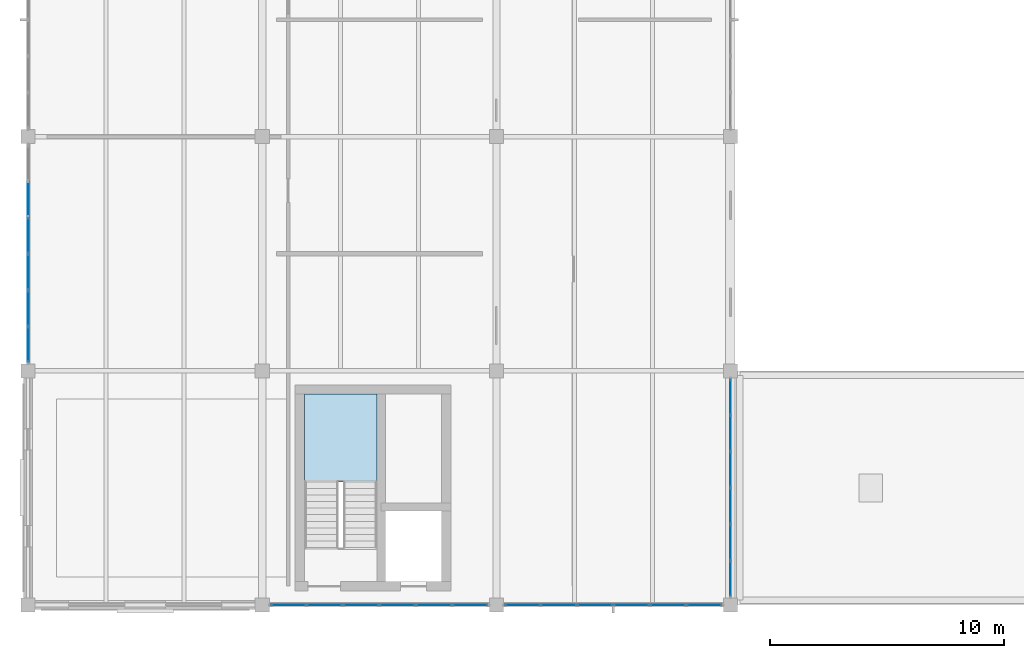
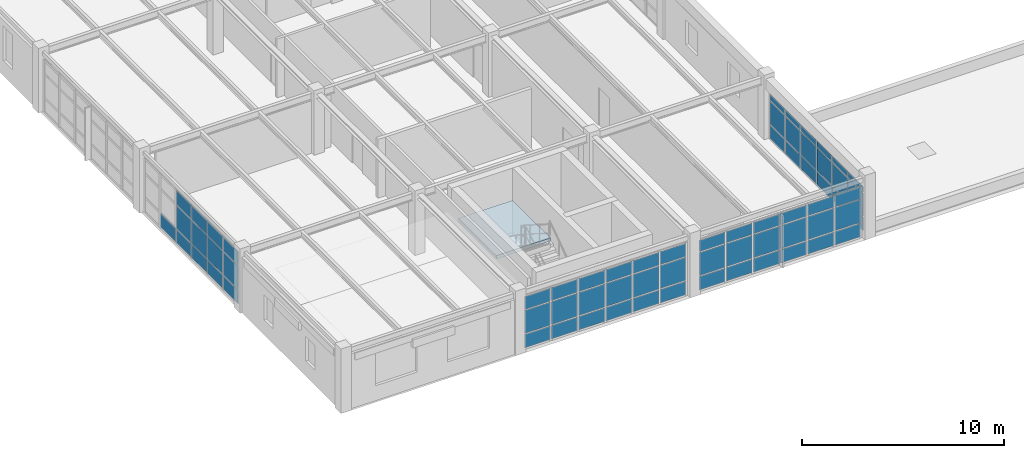
# One storey, part 14 of 23: 67 plates, 1 slab, 5 elements without a shape of their own.
"""IFC4 building model written with IfcOpenShell, lengths in metres."""

from ifc_helpers import new_model, si_unit, direction, frame, origin, origin_2d, place, context, subcontext, project, spatial, polyline, rectangle, outline, extrude, material, layer, layer_set, type_object, element, aggregate, save


model = new_model("IFC4")

# Units and contexts
model_context = context("Model", 3, precision=1e-05, world=origin(), true_north=direction((0.0, 1.0)))
body_context = subcontext(model_context, "Body", "Model", "MODEL_VIEW")
ifc_project = project(units=[si_unit("LENGTHUNIT", "METRE"), si_unit("AREAUNIT", "SQUARE_METRE"), si_unit("VOLUMEUNIT", "CUBIC_METRE"), si_unit("PLANEANGLEUNIT", "RADIAN"), si_unit("MASSUNIT", "GRAM", prefix="KILO"), si_unit("THERMODYNAMICTEMPERATUREUNIT", "KELVIN"), si_unit("POWERUNIT", "WATT")], contexts=[model_context])

# Site, building, storey
site_placement = place(None, origin())
site = spatial("IfcSite", under=ifc_project, at=site_placement, CompositionType="ELEMENT")
building_placement = place(site_placement, origin())
building = spatial("IfcBuilding", under=site, at=building_placement, Name="Korenveer Ferry Terminal", CompositionType="ELEMENT")
storey_placement = place(building_placement, frame((0.0, 0.0, 14.39990234375)))
storey = spatial("IfcBuildingStorey", under=building, at=storey_placement, Name="L03", CompositionType="ELEMENT", Elevation=14.39990234375)

# Curtain wall, plates
ifc_material_1 = material(Name="Unitised bronze-and-glass curtain wall", Category="glass")
ifc_layer_1 = layer(ifc_material_1, 0.159912109375)
ifc_layer_set_1 = layer_set([ifc_layer_1], Name="Unitised bronze-and-glass curtain wall")
curtain_wall_type_1 = type_object("IfcCurtainWallType", Name="ENV-CW-123", PredefinedType="USERDEFINED", material=ifc_layer_set_1)
curtain_wall_1_placement = place(storey_placement, frame((10.330078125, 20.0, 0.0)))
curtain_wall_1 = element("IfcCurtainWall", 1, at=curtain_wall_1_placement, inside=storey, type_object=curtain_wall_type_1, Name="Lancet curtain wall CWX-L03-X10-20-Y20-20", ObjectType="UNITISED CURTAIN WALL", PredefinedType="USERDEFINED")
ifc_material_2 = material(Name="Low-iron solar-control double glazing", Category="glass")
ifc_layer_2 = layer(ifc_material_2, 0.028076171875)
ifc_layer_set_2 = layer_set([ifc_layer_2], Name="Low-iron solar-control double glazing")
plate_type = type_object("IfcPlateType", Name="ENV-CWP-GLZ28", PredefinedType="CURTAIN_PANEL", material=ifc_layer_set_2)
plate_1_placement = place(storey_placement, frame((11.123291015625, 20.0, 0.06005859375), z_axis=(0.0, 0.0, 1.0), x_axis=(1.0, 0.0, 0.0)))
plate_1 = element("IfcPlate", 2, at=plate_1_placement, type_object=plate_type, Name="CW-123 panel 1.1", PredefinedType="CURTAIN_PANEL", context=body_context, shape_type="SweptSolid", body=[
    extrude(rectangle(XDim=1.466552734375, YDim=0.028076171875, at=origin_2d()), origin(), (0.0, 0.0, 1.0), 0.81005859375),
])
plate_2_placement = place(storey_placement, frame((11.123291015625, 20.0, 0.93017578125), z_axis=(0.0, 0.0, 1.0), x_axis=(1.0, 0.0, 0.0)))
plate_2 = element("IfcPlate", 3, at=plate_2_placement, type_object=plate_type, Name="CW-123 panel 1.2", PredefinedType="CURTAIN_PANEL", context=body_context, shape_type="SweptSolid", body=[
    extrude(rectangle(XDim=1.466552734375, YDim=0.028076171875, at=origin_2d()), origin(), (0.0, 0.0, 1.0), 1.389892578125),
])
plate_3_placement = place(storey_placement, frame((11.123291015625, 20.0, 2.3798828125), z_axis=(0.0, 0.0, 1.0), x_axis=(1.0, 0.0, 0.0)))
plate_3 = element("IfcPlate", 4, at=plate_3_placement, type_object=plate_type, Name="CW-123 panel 1.3", PredefinedType="CURTAIN_PANEL", context=body_context, shape_type="SweptSolid", body=[
    extrude(rectangle(XDim=1.466552734375, YDim=0.028076171875, at=origin_2d()), origin(), (0.0, 0.0, 1.0), 0.780029296875),
])
plate_4_placement = place(storey_placement, frame((12.6650390625, 20.0, 0.06005859375), z_axis=(0.0, 0.0, 1.0), x_axis=(1.0, 0.0, 0.0)))
plate_4 = element("IfcPlate", 5, at=plate_4_placement, type_object=plate_type, Name="CW-123 panel 2.1", PredefinedType="CURTAIN_PANEL", context=body_context, shape_type="SweptSolid", body=[
    extrude(rectangle(XDim=1.49658203125, YDim=0.028076171875, at=origin_2d()), origin(), (0.0, 0.0, 1.0), 0.81005859375),
])
plate_5_placement = place(storey_placement, frame((12.6650390625, 20.0, 0.93017578125), z_axis=(0.0, 0.0, 1.0), x_axis=(1.0, 0.0, 0.0)))
plate_5 = element("IfcPlate", 6, at=plate_5_placement, type_object=plate_type, Name="CW-123 panel 2.2", PredefinedType="CURTAIN_PANEL", context=body_context, shape_type="SweptSolid", body=[
    extrude(rectangle(XDim=1.49658203125, YDim=0.028076171875, at=origin_2d()), origin(), (0.0, 0.0, 1.0), 1.389892578125),
])
plate_6_placement = place(storey_placement, frame((12.6650390625, 20.0, 2.3798828125), z_axis=(0.0, 0.0, 1.0), x_axis=(1.0, 0.0, 0.0)))
plate_6 = element("IfcPlate", 7, at=plate_6_placement, type_object=plate_type, Name="CW-123 panel 2.3", PredefinedType="CURTAIN_PANEL", context=body_context, shape_type="SweptSolid", body=[
    extrude(rectangle(XDim=1.49658203125, YDim=0.028076171875, at=origin_2d()), origin(), (0.0, 0.0, 1.0), 0.780029296875),
])
plate_7_placement = place(storey_placement, frame((14.2216796875, 20.0, 0.06005859375), z_axis=(0.0, 0.0, 1.0), x_axis=(1.0, 0.0, 0.0)))
plate_7 = element("IfcPlate", 8, at=plate_7_placement, type_object=plate_type, Name="CW-123 panel 3.1", PredefinedType="CURTAIN_PANEL", context=body_context, shape_type="SweptSolid", body=[
    extrude(rectangle(XDim=1.49658203125, YDim=0.028076171875, at=origin_2d()), origin(), (0.0, 0.0, 1.0), 0.81005859375),
])
plate_8_placement = place(storey_placement, frame((14.2216796875, 20.0, 0.93017578125), z_axis=(0.0, 0.0, 1.0), x_axis=(1.0, 0.0, 0.0)))
plate_8 = element("IfcPlate", 9, at=plate_8_placement, type_object=plate_type, Name="CW-123 panel 3.2", PredefinedType="CURTAIN_PANEL", context=body_context, shape_type="SweptSolid", body=[
    extrude(rectangle(XDim=1.49658203125, YDim=0.028076171875, at=origin_2d()), origin(), (0.0, 0.0, 1.0), 1.389892578125),
])
plate_9_placement = place(storey_placement, frame((14.2216796875, 20.0, 2.3798828125), z_axis=(0.0, 0.0, 1.0), x_axis=(1.0, 0.0, 0.0)))
plate_9 = element("IfcPlate", 10, at=plate_9_placement, type_object=plate_type, Name="CW-123 panel 3.3", PredefinedType="CURTAIN_PANEL", context=body_context, shape_type="SweptSolid", body=[
    extrude(rectangle(XDim=1.49658203125, YDim=0.028076171875, at=origin_2d()), origin(), (0.0, 0.0, 1.0), 0.780029296875),
])
plate_10_placement = place(storey_placement, frame((15.7783203125, 20.0, 0.06005859375), z_axis=(0.0, 0.0, 1.0), x_axis=(1.0, 0.0, 0.0)))
plate_10 = element("IfcPlate", 11, at=plate_10_placement, type_object=plate_type, Name="CW-123 panel 4.1", PredefinedType="CURTAIN_PANEL", context=body_context, shape_type="SweptSolid", body=[
    extrude(rectangle(XDim=1.49658203125, YDim=0.028076171875, at=origin_2d()), origin(), (0.0, 0.0, 1.0), 0.81005859375),
])
plate_11_placement = place(storey_placement, frame((15.7783203125, 20.0, 0.93017578125), z_axis=(0.0, 0.0, 1.0), x_axis=(1.0, 0.0, 0.0)))
plate_11 = element("IfcPlate", 12, at=plate_11_placement, type_object=plate_type, Name="CW-123 panel 4.2", PredefinedType="CURTAIN_PANEL", context=body_context, shape_type="SweptSolid", body=[
    extrude(rectangle(XDim=1.49658203125, YDim=0.028076171875, at=origin_2d()), origin(), (0.0, 0.0, 1.0), 1.389892578125),
])
plate_12_placement = place(storey_placement, frame((15.7783203125, 20.0, 2.3798828125), z_axis=(0.0, 0.0, 1.0), x_axis=(1.0, 0.0, 0.0)))
plate_12 = element("IfcPlate", 13, at=plate_12_placement, type_object=plate_type, Name="CW-123 panel 4.3", PredefinedType="CURTAIN_PANEL", context=body_context, shape_type="SweptSolid", body=[
    extrude(rectangle(XDim=1.49658203125, YDim=0.028076171875, at=origin_2d()), origin(), (0.0, 0.0, 1.0), 0.780029296875),
])
plate_13_placement = place(storey_placement, frame((17.3349609375, 20.0, 0.06005859375), z_axis=(0.0, 0.0, 1.0), x_axis=(1.0, 0.0, 0.0)))
plate_13 = element("IfcPlate", 14, at=plate_13_placement, type_object=plate_type, Name="CW-123 panel 5.1", PredefinedType="CURTAIN_PANEL", context=body_context, shape_type="SweptSolid", body=[
    extrude(rectangle(XDim=1.49658203125, YDim=0.028076171875, at=origin_2d()), origin(), (0.0, 0.0, 1.0), 0.81005859375),
])
plate_14_placement = place(storey_placement, frame((17.3349609375, 20.0, 0.93017578125), z_axis=(0.0, 0.0, 1.0), x_axis=(1.0, 0.0, 0.0)))
plate_14 = element("IfcPlate", 15, at=plate_14_placement, type_object=plate_type, Name="CW-123 panel 5.2", PredefinedType="CURTAIN_PANEL", context=body_context, shape_type="SweptSolid", body=[
    extrude(rectangle(XDim=1.49658203125, YDim=0.028076171875, at=origin_2d()), origin(), (0.0, 0.0, 1.0), 1.389892578125),
])
plate_15_placement = place(storey_placement, frame((17.3349609375, 20.0, 2.3798828125), z_axis=(0.0, 0.0, 1.0), x_axis=(1.0, 0.0, 0.0)))
plate_15 = element("IfcPlate", 16, at=plate_15_placement, type_object=plate_type, Name="CW-123 panel 5.3", PredefinedType="CURTAIN_PANEL", context=body_context, shape_type="SweptSolid", body=[
    extrude(rectangle(XDim=1.49658203125, YDim=0.028076171875, at=origin_2d()), origin(), (0.0, 0.0, 1.0), 0.780029296875),
])
plate_16_placement = place(storey_placement, frame((18.876708984375, 20.0, 0.06005859375), z_axis=(0.0, 0.0, 1.0), x_axis=(1.0, 0.0, 0.0)))
plate_16 = element("IfcPlate", 17, at=plate_16_placement, type_object=plate_type, Name="CW-123 panel 6.1", PredefinedType="CURTAIN_PANEL", context=body_context, shape_type="SweptSolid", body=[
    extrude(rectangle(XDim=1.466552734375, YDim=0.028076171875, at=origin_2d()), origin(), (0.0, 0.0, 1.0), 0.81005859375),
])
plate_17_placement = place(storey_placement, frame((18.876708984375, 20.0, 0.93017578125), z_axis=(0.0, 0.0, 1.0), x_axis=(1.0, 0.0, 0.0)))
plate_17 = element("IfcPlate", 18, at=plate_17_placement, type_object=plate_type, Name="CW-123 panel 6.2", PredefinedType="CURTAIN_PANEL", context=body_context, shape_type="SweptSolid", body=[
    extrude(rectangle(XDim=1.466552734375, YDim=0.028076171875, at=origin_2d()), origin(), (0.0, 0.0, 1.0), 1.389892578125),
])
plate_18_placement = place(storey_placement, frame((18.876708984375, 20.0, 2.3798828125), z_axis=(0.0, 0.0, 1.0), x_axis=(1.0, 0.0, 0.0)))
plate_18 = element("IfcPlate", 19, at=plate_18_placement, type_object=plate_type, Name="CW-123 panel 6.3", PredefinedType="CURTAIN_PANEL", context=body_context, shape_type="SweptSolid", body=[
    extrude(rectangle(XDim=1.466552734375, YDim=0.028076171875, at=origin_2d()), origin(), (0.0, 0.0, 1.0), 0.780029296875),
])
aggregate(curtain_wall_1, [plate_1, plate_2, plate_3, plate_4, plate_5, plate_6, plate_7, plate_8, plate_9, plate_10, plate_11, plate_12, plate_13, plate_14, plate_15, plate_16, plate_17, plate_18])

ifc_layer_3 = layer(ifc_material_1, 0.159912109375)
ifc_layer_set_3 = layer_set([ifc_layer_3], Name="Unitised bronze-and-glass curtain wall")
curtain_wall_type_2 = type_object("IfcCurtainWallType", Name="ENV-CW-124", PredefinedType="USERDEFINED", material=ifc_layer_set_3)
curtain_wall_2_placement = place(storey_placement, frame((20.330078125, 20.0, 0.0)))
curtain_wall_2 = element("IfcCurtainWall", 20, at=curtain_wall_2_placement, inside=storey, type_object=curtain_wall_type_2, Name="Lancet curtain wall CWX-L03-X20-30-Y20-20", ObjectType="UNITISED CURTAIN WALL", PredefinedType="USERDEFINED")
plate_19_placement = place(storey_placement, frame((21.123291015625, 20.0, 0.06005859375), z_axis=(0.0, 0.0, 1.0), x_axis=(1.0, 0.0, 0.0)))
plate_19 = element("IfcPlate", 21, at=plate_19_placement, type_object=plate_type, Name="CW-124 panel 1.1", PredefinedType="CURTAIN_PANEL", context=body_context, shape_type="SweptSolid", body=[
    extrude(rectangle(XDim=1.466552734375, YDim=0.028076171875, at=origin_2d()), origin(), (0.0, 0.0, 1.0), 0.81005859375),
])
plate_20_placement = place(storey_placement, frame((21.123291015625, 20.0, 0.93017578125), z_axis=(0.0, 0.0, 1.0), x_axis=(1.0, 0.0, 0.0)))
plate_20 = element("IfcPlate", 22, at=plate_20_placement, type_object=plate_type, Name="CW-124 panel 1.2", PredefinedType="CURTAIN_PANEL", context=body_context, shape_type="SweptSolid", body=[
    extrude(rectangle(XDim=1.466552734375, YDim=0.028076171875, at=origin_2d()), origin(), (0.0, 0.0, 1.0), 1.389892578125),
])
plate_21_placement = place(storey_placement, frame((21.123291015625, 20.0, 2.38037109375), z_axis=(0.0, 0.0, 1.0), x_axis=(1.0, 0.0, 0.0)))
plate_21 = element("IfcPlate", 23, at=plate_21_placement, type_object=plate_type, Name="CW-124 panel 1.3", PredefinedType="CURTAIN_PANEL", context=body_context, shape_type="SweptSolid", body=[
    extrude(rectangle(XDim=1.466552734375, YDim=0.028076171875, at=origin_2d()), origin(), (0.0, 0.0, 1.0), 0.679931640625),
])
plate_22_placement = place(storey_placement, frame((22.6650390625, 20.0, 0.06005859375), z_axis=(0.0, 0.0, 1.0), x_axis=(1.0, 0.0, 0.0)))
plate_22 = element("IfcPlate", 24, at=plate_22_placement, type_object=plate_type, Name="CW-124 panel 2.1", PredefinedType="CURTAIN_PANEL", context=body_context, shape_type="SweptSolid", body=[
    extrude(rectangle(XDim=1.49658203125, YDim=0.028076171875, at=origin_2d()), origin(), (0.0, 0.0, 1.0), 0.81005859375),
])
plate_23_placement = place(storey_placement, frame((22.6650390625, 20.0, 0.93017578125), z_axis=(0.0, 0.0, 1.0), x_axis=(1.0, 0.0, 0.0)))
plate_23 = element("IfcPlate", 25, at=plate_23_placement, type_object=plate_type, Name="CW-124 panel 2.2", PredefinedType="CURTAIN_PANEL", context=body_context, shape_type="SweptSolid", body=[
    extrude(rectangle(XDim=1.49658203125, YDim=0.028076171875, at=origin_2d()), origin(), (0.0, 0.0, 1.0), 1.389892578125),
])
plate_24_placement = place(storey_placement, frame((22.6650390625, 20.0, 2.38037109375), z_axis=(0.0, 0.0, 1.0), x_axis=(1.0, 0.0, 0.0)))
plate_24 = element("IfcPlate", 26, at=plate_24_placement, type_object=plate_type, Name="CW-124 panel 2.3", PredefinedType="CURTAIN_PANEL", context=body_context, shape_type="SweptSolid", body=[
    extrude(rectangle(XDim=1.49658203125, YDim=0.028076171875, at=origin_2d()), origin(), (0.0, 0.0, 1.0), 0.679931640625),
])
plate_25_placement = place(storey_placement, frame((24.2216796875, 20.0, 0.06005859375), z_axis=(0.0, 0.0, 1.0), x_axis=(1.0, 0.0, 0.0)))
plate_25 = element("IfcPlate", 27, at=plate_25_placement, type_object=plate_type, Name="CW-124 panel 3.1", PredefinedType="CURTAIN_PANEL", context=body_context, shape_type="SweptSolid", body=[
    extrude(rectangle(XDim=1.49658203125, YDim=0.028076171875, at=origin_2d()), origin(), (0.0, 0.0, 1.0), 0.81005859375),
])
plate_26_placement = place(storey_placement, frame((24.2216796875, 20.0, 0.93017578125), z_axis=(0.0, 0.0, 1.0), x_axis=(1.0, 0.0, 0.0)))
plate_26 = element("IfcPlate", 28, at=plate_26_placement, type_object=plate_type, Name="CW-124 panel 3.2", PredefinedType="CURTAIN_PANEL", context=body_context, shape_type="SweptSolid", body=[
    extrude(rectangle(XDim=1.49658203125, YDim=0.028076171875, at=origin_2d()), origin(), (0.0, 0.0, 1.0), 1.389892578125),
])
plate_27_placement = place(storey_placement, frame((24.2216796875, 20.0, 2.38037109375), z_axis=(0.0, 0.0, 1.0), x_axis=(1.0, 0.0, 0.0)))
plate_27 = element("IfcPlate", 29, at=plate_27_placement, type_object=plate_type, Name="CW-124 panel 3.3", PredefinedType="CURTAIN_PANEL", context=body_context, shape_type="SweptSolid", body=[
    extrude(rectangle(XDim=1.49658203125, YDim=0.028076171875, at=origin_2d()), origin(), (0.0, 0.0, 1.0), 0.679931640625),
])
plate_28_placement = place(storey_placement, frame((25.7783203125, 20.0, 0.06005859375), z_axis=(0.0, 0.0, 1.0), x_axis=(1.0, 0.0, 0.0)))
plate_28 = element("IfcPlate", 30, at=plate_28_placement, type_object=plate_type, Name="CW-124 panel 4.1", PredefinedType="CURTAIN_PANEL", context=body_context, shape_type="SweptSolid", body=[
    extrude(rectangle(XDim=1.49658203125, YDim=0.028076171875, at=origin_2d()), origin(), (0.0, 0.0, 1.0), 0.81005859375),
])
plate_29_placement = place(storey_placement, frame((25.7783203125, 20.0, 0.93017578125), z_axis=(0.0, 0.0, 1.0), x_axis=(1.0, 0.0, 0.0)))
plate_29 = element("IfcPlate", 31, at=plate_29_placement, type_object=plate_type, Name="CW-124 panel 4.2", PredefinedType="CURTAIN_PANEL", context=body_context, shape_type="SweptSolid", body=[
    extrude(rectangle(XDim=1.49658203125, YDim=0.028076171875, at=origin_2d()), origin(), (0.0, 0.0, 1.0), 1.389892578125),
])
plate_30_placement = place(storey_placement, frame((25.7783203125, 20.0, 2.38037109375), z_axis=(0.0, 0.0, 1.0), x_axis=(1.0, 0.0, 0.0)))
plate_30 = element("IfcPlate", 32, at=plate_30_placement, type_object=plate_type, Name="CW-124 panel 4.3", PredefinedType="CURTAIN_PANEL", context=body_context, shape_type="SweptSolid", body=[
    extrude(rectangle(XDim=1.49658203125, YDim=0.028076171875, at=origin_2d()), origin(), (0.0, 0.0, 1.0), 0.679931640625),
])
plate_31_placement = place(storey_placement, frame((27.3349609375, 20.0, 0.06005859375), z_axis=(0.0, 0.0, 1.0), x_axis=(1.0, 0.0, 0.0)))
plate_31 = element("IfcPlate", 33, at=plate_31_placement, type_object=plate_type, Name="CW-124 panel 5.1", PredefinedType="CURTAIN_PANEL", context=body_context, shape_type="SweptSolid", body=[
    extrude(rectangle(XDim=1.49658203125, YDim=0.028076171875, at=origin_2d()), origin(), (0.0, 0.0, 1.0), 0.81005859375),
])
plate_32_placement = place(storey_placement, frame((27.3349609375, 20.0, 0.93017578125), z_axis=(0.0, 0.0, 1.0), x_axis=(1.0, 0.0, 0.0)))
plate_32 = element("IfcPlate", 34, at=plate_32_placement, type_object=plate_type, Name="CW-124 panel 5.2", PredefinedType="CURTAIN_PANEL", context=body_context, shape_type="SweptSolid", body=[
    extrude(rectangle(XDim=1.49658203125, YDim=0.028076171875, at=origin_2d()), origin(), (0.0, 0.0, 1.0), 1.389892578125),
])
plate_33_placement = place(storey_placement, frame((27.3349609375, 20.0, 2.38037109375), z_axis=(0.0, 0.0, 1.0), x_axis=(1.0, 0.0, 0.0)))
plate_33 = element("IfcPlate", 35, at=plate_33_placement, type_object=plate_type, Name="CW-124 panel 5.3", PredefinedType="CURTAIN_PANEL", context=body_context, shape_type="SweptSolid", body=[
    extrude(rectangle(XDim=1.49658203125, YDim=0.028076171875, at=origin_2d()), origin(), (0.0, 0.0, 1.0), 0.679931640625),
])
plate_34_placement = place(storey_placement, frame((28.876708984375, 20.0, 0.06005859375), z_axis=(0.0, 0.0, 1.0), x_axis=(1.0, 0.0, 0.0)))
plate_34 = element("IfcPlate", 36, at=plate_34_placement, type_object=plate_type, Name="CW-124 panel 6.1", PredefinedType="CURTAIN_PANEL", context=body_context, shape_type="SweptSolid", body=[
    extrude(rectangle(XDim=1.466552734375, YDim=0.028076171875, at=origin_2d()), origin(), (0.0, 0.0, 1.0), 0.81005859375),
])
plate_35_placement = place(storey_placement, frame((28.876708984375, 20.0, 0.93017578125), z_axis=(0.0, 0.0, 1.0), x_axis=(1.0, 0.0, 0.0)))
plate_35 = element("IfcPlate", 37, at=plate_35_placement, type_object=plate_type, Name="CW-124 panel 6.2", PredefinedType="CURTAIN_PANEL", context=body_context, shape_type="SweptSolid", body=[
    extrude(rectangle(XDim=1.466552734375, YDim=0.028076171875, at=origin_2d()), origin(), (0.0, 0.0, 1.0), 1.389892578125),
])
plate_36_placement = place(storey_placement, frame((28.876708984375, 20.0, 2.38037109375), z_axis=(0.0, 0.0, 1.0), x_axis=(1.0, 0.0, 0.0)))
plate_36 = element("IfcPlate", 38, at=plate_36_placement, type_object=plate_type, Name="CW-124 panel 6.3", PredefinedType="CURTAIN_PANEL", context=body_context, shape_type="SweptSolid", body=[
    extrude(rectangle(XDim=1.466552734375, YDim=0.028076171875, at=origin_2d()), origin(), (0.0, 0.0, 1.0), 0.679931640625),
])
aggregate(curtain_wall_2, [plate_19, plate_20, plate_21, plate_22, plate_23, plate_24, plate_25, plate_26, plate_27, plate_28, plate_29, plate_30, plate_31, plate_32, plate_33, plate_34, plate_35, plate_36])

ifc_layer_4 = layer(ifc_material_1, 0.159912109375)
ifc_layer_set_4 = layer_set([ifc_layer_4], Name="Unitised bronze-and-glass curtain wall")
curtain_wall_type_3 = type_object("IfcCurtainWallType", Name="ENV-CW-108", PredefinedType="USERDEFINED", material=ifc_layer_set_4)
curtain_wall_3_placement = place(storey_placement, frame((0.0, 30.330078125, 0.0)))
curtain_wall_3 = element("IfcCurtainWall", 39, at=curtain_wall_3_placement, inside=storey, type_object=curtain_wall_type_3, Name="Lancet curtain wall CWX-L03-X0-0-Y30-40", ObjectType="UNITISED CURTAIN WALL", PredefinedType="USERDEFINED")
plate_37_placement = place(storey_placement, frame((0.0, 31.123291015625, 0.06005859375), z_axis=(0.0, 0.0, 1.0), x_axis=(0.0, 1.0, 0.0)))
plate_37 = element("IfcPlate", 40, at=plate_37_placement, type_object=plate_type, Name="CW-108 panel 1.1", PredefinedType="CURTAIN_PANEL", context=body_context, shape_type="SweptSolid", body=[
    extrude(rectangle(XDim=1.466552734375, YDim=0.028076171875, at=origin_2d()), origin(), (0.0, 0.0, 1.0), 0.81005859375),
])
plate_38_placement = place(storey_placement, frame((0.0, 31.123291015625, 0.93017578125), z_axis=(0.0, 0.0, 1.0), x_axis=(0.0, 1.0, 0.0)))
plate_38 = element("IfcPlate", 41, at=plate_38_placement, type_object=plate_type, Name="CW-108 panel 1.2", PredefinedType="CURTAIN_PANEL", context=body_context, shape_type="SweptSolid", body=[
    extrude(rectangle(XDim=1.466552734375, YDim=0.028076171875, at=origin_2d()), origin(), (0.0, 0.0, 1.0), 1.389892578125),
])
plate_39_placement = place(storey_placement, frame((0.0, 31.123291015625, 2.380126953125), z_axis=(0.0, 0.0, 1.0), x_axis=(0.0, 1.0, 0.0)))
plate_39 = element("IfcPlate", 42, at=plate_39_placement, type_object=plate_type, Name="CW-108 panel 1.3", PredefinedType="CURTAIN_PANEL", context=body_context, shape_type="SweptSolid", body=[
    extrude(rectangle(XDim=1.466552734375, YDim=0.028076171875, at=origin_2d()), origin(), (0.0, 0.0, 1.0), 0.830078125),
])
plate_40_placement = place(storey_placement, frame((0.0, 32.6650390625, 0.06005859375), z_axis=(0.0, 0.0, 1.0), x_axis=(0.0, 1.0, 0.0)))
plate_40 = element("IfcPlate", 43, at=plate_40_placement, type_object=plate_type, Name="CW-108 panel 2.1", PredefinedType="CURTAIN_PANEL", context=body_context, shape_type="SweptSolid", body=[
    extrude(rectangle(XDim=1.49658203125, YDim=0.028076171875, at=origin_2d()), origin(), (0.0, 0.0, 1.0), 0.81005859375),
])
plate_41_placement = place(storey_placement, frame((0.0, 32.6650390625, 0.93017578125), z_axis=(0.0, 0.0, 1.0), x_axis=(0.0, 1.0, 0.0)))
plate_41 = element("IfcPlate", 44, at=plate_41_placement, type_object=plate_type, Name="CW-108 panel 2.2", PredefinedType="CURTAIN_PANEL", context=body_context, shape_type="SweptSolid", body=[
    extrude(rectangle(XDim=1.49658203125, YDim=0.028076171875, at=origin_2d()), origin(), (0.0, 0.0, 1.0), 1.389892578125),
])
plate_42_placement = place(storey_placement, frame((0.0, 32.6650390625, 2.380126953125), z_axis=(0.0, 0.0, 1.0), x_axis=(0.0, 1.0, 0.0)))
plate_42 = element("IfcPlate", 45, at=plate_42_placement, type_object=plate_type, Name="CW-108 panel 2.3", PredefinedType="CURTAIN_PANEL", context=body_context, shape_type="SweptSolid", body=[
    extrude(rectangle(XDim=1.49658203125, YDim=0.028076171875, at=origin_2d()), origin(), (0.0, 0.0, 1.0), 0.830078125),
])
plate_43_placement = place(storey_placement, frame((0.0, 34.2216796875, 0.06005859375), z_axis=(0.0, 0.0, 1.0), x_axis=(0.0, 1.0, 0.0)))
plate_43 = element("IfcPlate", 46, at=plate_43_placement, type_object=plate_type, Name="CW-108 panel 3.1", PredefinedType="CURTAIN_PANEL", context=body_context, shape_type="SweptSolid", body=[
    extrude(rectangle(XDim=1.49658203125, YDim=0.028076171875, at=origin_2d()), origin(), (0.0, 0.0, 1.0), 0.81005859375),
])
plate_44_placement = place(storey_placement, frame((0.0, 34.2216796875, 0.93017578125), z_axis=(0.0, 0.0, 1.0), x_axis=(0.0, 1.0, 0.0)))
plate_44 = element("IfcPlate", 47, at=plate_44_placement, type_object=plate_type, Name="CW-108 panel 3.2", PredefinedType="CURTAIN_PANEL", context=body_context, shape_type="SweptSolid", body=[
    extrude(rectangle(XDim=1.49658203125, YDim=0.028076171875, at=origin_2d()), origin(), (0.0, 0.0, 1.0), 1.389892578125),
])
plate_45_placement = place(storey_placement, frame((0.0, 34.2216796875, 2.380126953125), z_axis=(0.0, 0.0, 1.0), x_axis=(0.0, 1.0, 0.0)))
plate_45 = element("IfcPlate", 48, at=plate_45_placement, type_object=plate_type, Name="CW-108 panel 3.3", PredefinedType="CURTAIN_PANEL", context=body_context, shape_type="SweptSolid", body=[
    extrude(rectangle(XDim=1.49658203125, YDim=0.028076171875, at=origin_2d()), origin(), (0.0, 0.0, 1.0), 0.830078125),
])
plate_46_placement = place(storey_placement, frame((0.0, 35.7783203125, 0.06005859375), z_axis=(0.0, 0.0, 1.0), x_axis=(0.0, 1.0, 0.0)))
plate_46 = element("IfcPlate", 49, at=plate_46_placement, type_object=plate_type, Name="CW-108 panel 4.1", PredefinedType="CURTAIN_PANEL", context=body_context, shape_type="SweptSolid", body=[
    extrude(rectangle(XDim=1.49658203125, YDim=0.028076171875, at=origin_2d()), origin(), (0.0, 0.0, 1.0), 0.81005859375),
])
plate_47_placement = place(storey_placement, frame((0.0, 35.7783203125, 0.93017578125), z_axis=(0.0, 0.0, 1.0), x_axis=(0.0, 1.0, 0.0)))
plate_47 = element("IfcPlate", 50, at=plate_47_placement, type_object=plate_type, Name="CW-108 panel 4.2", PredefinedType="CURTAIN_PANEL", context=body_context, shape_type="SweptSolid", body=[
    extrude(rectangle(XDim=1.49658203125, YDim=0.028076171875, at=origin_2d()), origin(), (0.0, 0.0, 1.0), 1.389892578125),
])
plate_48_placement = place(storey_placement, frame((0.0, 35.7783203125, 2.380126953125), z_axis=(0.0, 0.0, 1.0), x_axis=(0.0, 1.0, 0.0)))
plate_48 = element("IfcPlate", 51, at=plate_48_placement, type_object=plate_type, Name="CW-108 panel 4.3", PredefinedType="CURTAIN_PANEL", context=body_context, shape_type="SweptSolid", body=[
    extrude(rectangle(XDim=1.49658203125, YDim=0.028076171875, at=origin_2d()), origin(), (0.0, 0.0, 1.0), 0.830078125),
])
plate_49_placement = place(storey_placement, frame((0.0, 37.3349609375, 0.06005859375), z_axis=(0.0, 0.0, 1.0), x_axis=(0.0, 1.0, 0.0)))
plate_49 = element("IfcPlate", 52, at=plate_49_placement, type_object=plate_type, Name="CW-108 panel 5.1", PredefinedType="CURTAIN_PANEL", context=body_context, shape_type="SweptSolid", body=[
    extrude(rectangle(XDim=1.49658203125, YDim=0.028076171875, at=origin_2d()), origin(), (0.0, 0.0, 1.0), 0.81005859375),
])
aggregate(curtain_wall_3, [plate_37, plate_38, plate_39, plate_40, plate_41, plate_42, plate_43, plate_44, plate_45, plate_46, plate_47, plate_48, plate_49])

ifc_layer_5 = layer(ifc_material_1, 0.159912109375)
ifc_layer_set_5 = layer_set([ifc_layer_5], Name="Unitised bronze-and-glass curtain wall")
curtain_wall_type_4 = type_object("IfcCurtainWallType", Name="ENV-CW-127", PredefinedType="USERDEFINED", material=ifc_layer_set_5)
curtain_wall_4_placement = place(storey_placement, frame((30.0, 29.669921875, 0.0)))
curtain_wall_4 = element("IfcCurtainWall", 53, at=curtain_wall_4_placement, inside=storey, type_object=curtain_wall_type_4, Name="Lancet curtain wall CWX-L03-X30-30-Y20-30", ObjectType="UNITISED CURTAIN WALL", PredefinedType="USERDEFINED")
plate_50_placement = place(storey_placement, frame((30.0, 28.876708984375, 0.06005859375), z_axis=(0.0, 0.0, 1.0), x_axis=(0.0, -1.0, 0.0)))
plate_50 = element("IfcPlate", 54, at=plate_50_placement, type_object=plate_type, Name="CW-127 panel 1.1", PredefinedType="CURTAIN_PANEL", context=body_context, shape_type="SweptSolid", body=[
    extrude(rectangle(XDim=1.466552734375, YDim=0.028076171875, at=origin_2d()), origin(), (0.0, 0.0, 1.0), 0.81005859375),
])
plate_51_placement = place(storey_placement, frame((30.0, 28.876708984375, 0.93017578125), z_axis=(0.0, 0.0, 1.0), x_axis=(0.0, -1.0, 0.0)))
plate_51 = element("IfcPlate", 55, at=plate_51_placement, type_object=plate_type, Name="CW-127 panel 1.2", PredefinedType="CURTAIN_PANEL", context=body_context, shape_type="SweptSolid", body=[
    extrude(rectangle(XDim=1.466552734375, YDim=0.028076171875, at=origin_2d()), origin(), (0.0, 0.0, 1.0), 1.389892578125),
])
plate_52_placement = place(storey_placement, frame((30.0, 28.876708984375, 2.380126953125), z_axis=(0.0, 0.0, 1.0), x_axis=(0.0, -1.0, 0.0)))
plate_52 = element("IfcPlate", 56, at=plate_52_placement, type_object=plate_type, Name="CW-127 panel 1.3", PredefinedType="CURTAIN_PANEL", context=body_context, shape_type="SweptSolid", body=[
    extrude(rectangle(XDim=1.466552734375, YDim=0.028076171875, at=origin_2d()), origin(), (0.0, 0.0, 1.0), 0.330078125),
])
plate_53_placement = place(storey_placement, frame((30.0, 27.3349609375, 0.06005859375), z_axis=(0.0, 0.0, 1.0), x_axis=(0.0, -1.0, 0.0)))
plate_53 = element("IfcPlate", 57, at=plate_53_placement, type_object=plate_type, Name="CW-127 panel 2.1", PredefinedType="CURTAIN_PANEL", context=body_context, shape_type="SweptSolid", body=[
    extrude(rectangle(XDim=1.49658203125, YDim=0.028076171875, at=origin_2d()), origin(), (0.0, 0.0, 1.0), 0.81005859375),
])
plate_54_placement = place(storey_placement, frame((30.0, 27.3349609375, 0.93017578125), z_axis=(0.0, 0.0, 1.0), x_axis=(0.0, -1.0, 0.0)))
plate_54 = element("IfcPlate", 58, at=plate_54_placement, type_object=plate_type, Name="CW-127 panel 2.2", PredefinedType="CURTAIN_PANEL", context=body_context, shape_type="SweptSolid", body=[
    extrude(rectangle(XDim=1.49658203125, YDim=0.028076171875, at=origin_2d()), origin(), (0.0, 0.0, 1.0), 1.389892578125),
])
plate_55_placement = place(storey_placement, frame((30.0, 27.3349609375, 2.380126953125), z_axis=(0.0, 0.0, 1.0), x_axis=(0.0, -1.0, 0.0)))
plate_55 = element("IfcPlate", 59, at=plate_55_placement, type_object=plate_type, Name="CW-127 panel 2.3", PredefinedType="CURTAIN_PANEL", context=body_context, shape_type="SweptSolid", body=[
    extrude(rectangle(XDim=1.49658203125, YDim=0.028076171875, at=origin_2d()), origin(), (0.0, 0.0, 1.0), 0.330078125),
])
plate_56_placement = place(storey_placement, frame((30.0, 25.7783203125, 0.06005859375), z_axis=(0.0, 0.0, 1.0), x_axis=(0.0, -1.0, 0.0)))
plate_56 = element("IfcPlate", 60, at=plate_56_placement, type_object=plate_type, Name="CW-127 panel 3.1", PredefinedType="CURTAIN_PANEL", context=body_context, shape_type="SweptSolid", body=[
    extrude(rectangle(XDim=1.49658203125, YDim=0.028076171875, at=origin_2d()), origin(), (0.0, 0.0, 1.0), 0.81005859375),
])
plate_57_placement = place(storey_placement, frame((30.0, 25.7783203125, 0.93017578125), z_axis=(0.0, 0.0, 1.0), x_axis=(0.0, -1.0, 0.0)))
plate_57 = element("IfcPlate", 61, at=plate_57_placement, type_object=plate_type, Name="CW-127 panel 3.2", PredefinedType="CURTAIN_PANEL", context=body_context, shape_type="SweptSolid", body=[
    extrude(rectangle(XDim=1.49658203125, YDim=0.028076171875, at=origin_2d()), origin(), (0.0, 0.0, 1.0), 1.389892578125),
])
plate_58_placement = place(storey_placement, frame((30.0, 25.7783203125, 2.380126953125), z_axis=(0.0, 0.0, 1.0), x_axis=(0.0, -1.0, 0.0)))
plate_58 = element("IfcPlate", 62, at=plate_58_placement, type_object=plate_type, Name="CW-127 panel 3.3", PredefinedType="CURTAIN_PANEL", context=body_context, shape_type="SweptSolid", body=[
    extrude(rectangle(XDim=1.49658203125, YDim=0.028076171875, at=origin_2d()), origin(), (0.0, 0.0, 1.0), 0.330078125),
])
plate_59_placement = place(storey_placement, frame((30.0, 24.2216796875, 0.06005859375), z_axis=(0.0, 0.0, 1.0), x_axis=(0.0, -1.0, 0.0)))
plate_59 = element("IfcPlate", 63, at=plate_59_placement, type_object=plate_type, Name="CW-127 panel 4.1", PredefinedType="CURTAIN_PANEL", context=body_context, shape_type="SweptSolid", body=[
    extrude(rectangle(XDim=1.49658203125, YDim=0.028076171875, at=origin_2d()), origin(), (0.0, 0.0, 1.0), 0.81005859375),
])
plate_60_placement = place(storey_placement, frame((30.0, 24.2216796875, 0.93017578125), z_axis=(0.0, 0.0, 1.0), x_axis=(0.0, -1.0, 0.0)))
plate_60 = element("IfcPlate", 64, at=plate_60_placement, type_object=plate_type, Name="CW-127 panel 4.2", PredefinedType="CURTAIN_PANEL", context=body_context, shape_type="SweptSolid", body=[
    extrude(rectangle(XDim=1.49658203125, YDim=0.028076171875, at=origin_2d()), origin(), (0.0, 0.0, 1.0), 1.389892578125),
])
plate_61_placement = place(storey_placement, frame((30.0, 24.2216796875, 2.380126953125), z_axis=(0.0, 0.0, 1.0), x_axis=(0.0, -1.0, 0.0)))
plate_61 = element("IfcPlate", 65, at=plate_61_placement, type_object=plate_type, Name="CW-127 panel 4.3", PredefinedType="CURTAIN_PANEL", context=body_context, shape_type="SweptSolid", body=[
    extrude(rectangle(XDim=1.49658203125, YDim=0.028076171875, at=origin_2d()), origin(), (0.0, 0.0, 1.0), 0.330078125),
])
plate_62_placement = place(storey_placement, frame((30.0, 22.6650390625, 0.06005859375), z_axis=(0.0, 0.0, 1.0), x_axis=(0.0, -1.0, 0.0)))
plate_62 = element("IfcPlate", 66, at=plate_62_placement, type_object=plate_type, Name="CW-127 panel 5.1", PredefinedType="CURTAIN_PANEL", context=body_context, shape_type="SweptSolid", body=[
    extrude(rectangle(XDim=1.49658203125, YDim=0.028076171875, at=origin_2d()), origin(), (0.0, 0.0, 1.0), 0.81005859375),
])
plate_63_placement = place(storey_placement, frame((30.0, 22.6650390625, 0.93017578125), z_axis=(0.0, 0.0, 1.0), x_axis=(0.0, -1.0, 0.0)))
plate_63 = element("IfcPlate", 67, at=plate_63_placement, type_object=plate_type, Name="CW-127 panel 5.2", PredefinedType="CURTAIN_PANEL", context=body_context, shape_type="SweptSolid", body=[
    extrude(rectangle(XDim=1.49658203125, YDim=0.028076171875, at=origin_2d()), origin(), (0.0, 0.0, 1.0), 1.389892578125),
])
plate_64_placement = place(storey_placement, frame((30.0, 22.6650390625, 2.380126953125), z_axis=(0.0, 0.0, 1.0), x_axis=(0.0, -1.0, 0.0)))
plate_64 = element("IfcPlate", 68, at=plate_64_placement, type_object=plate_type, Name="CW-127 panel 5.3", PredefinedType="CURTAIN_PANEL", context=body_context, shape_type="SweptSolid", body=[
    extrude(rectangle(XDim=1.49658203125, YDim=0.028076171875, at=origin_2d()), origin(), (0.0, 0.0, 1.0), 0.330078125),
])
plate_65_placement = place(storey_placement, frame((30.0, 21.123291015625, 0.06005859375), z_axis=(0.0, 0.0, 1.0), x_axis=(0.0, -1.0, 0.0)))
plate_65 = element("IfcPlate", 69, at=plate_65_placement, type_object=plate_type, Name="CW-127 panel 6.1", PredefinedType="CURTAIN_PANEL", context=body_context, shape_type="SweptSolid", body=[
    extrude(rectangle(XDim=1.466552734375, YDim=0.028076171875, at=origin_2d()), origin(), (0.0, 0.0, 1.0), 0.81005859375),
])
plate_66_placement = place(storey_placement, frame((30.0, 21.123291015625, 0.93017578125), z_axis=(0.0, 0.0, 1.0), x_axis=(0.0, -1.0, 0.0)))
plate_66 = element("IfcPlate", 70, at=plate_66_placement, type_object=plate_type, Name="CW-127 panel 6.2", PredefinedType="CURTAIN_PANEL", context=body_context, shape_type="SweptSolid", body=[
    extrude(rectangle(XDim=1.466552734375, YDim=0.028076171875, at=origin_2d()), origin(), (0.0, 0.0, 1.0), 1.389892578125),
])
plate_67_placement = place(storey_placement, frame((30.0, 21.123291015625, 2.380126953125), z_axis=(0.0, 0.0, 1.0), x_axis=(0.0, -1.0, 0.0)))
plate_67 = element("IfcPlate", 71, at=plate_67_placement, type_object=plate_type, Name="CW-127 panel 6.3", PredefinedType="CURTAIN_PANEL", context=body_context, shape_type="SweptSolid", body=[
    extrude(rectangle(XDim=1.466552734375, YDim=0.028076171875, at=origin_2d()), origin(), (0.0, 0.0, 1.0), 0.330078125),
])
aggregate(curtain_wall_4, [plate_50, plate_51, plate_52, plate_53, plate_54, plate_55, plate_56, plate_57, plate_58, plate_59, plate_60, plate_61, plate_62, plate_63, plate_64, plate_65, plate_66, plate_67])

# Stair, slab
ifc_material_3 = material(Name="Concrete C40/50", Category="concrete")
stair_type = type_object("IfcStairType", Name="INT-ST-04", PredefinedType="HALF_TURN_STAIR", material=ifc_material_3)
stair_placement = place(storey_placement, frame((14.175048828125, 22.449951171875, 0.0)))
stair = element("IfcStair", 72, at=stair_placement, inside=storey, type_object=stair_type, Name="L03 West Firefighting Core K1", PredefinedType="HALF_TURN_STAIR")
ifc_layer_6 = layer(ifc_material_3, 0.199951171875)
ifc_layer_set_6 = layer_set([ifc_layer_6], Name="Concrete C40/50")
slab_type = type_object("IfcSlabType", Name="INT-SL-LAND200", PredefinedType="LANDING", material=ifc_layer_set_6)
slab_placement = place(storey_placement, frame((0.0, 0.0, 1.75)))
slab = element("IfcSlab", 73, at=slab_placement, type_object=slab_type, Name="ST01 landing 1", PredefinedType="LANDING", context=body_context, shape_type="SweptSolid", body=[
    extrude(outline(polyline([(14.89990234375, 25.25), (14.89990234375, 29.0), (11.800048828125, 29.0), (11.800048828125, 25.25), (14.89990234375, 25.25)])), origin(), (0.0, 0.0, 1.0), 0.2001953125),
])
aggregate(stair, [slab])

save(model, "model.ifc")
